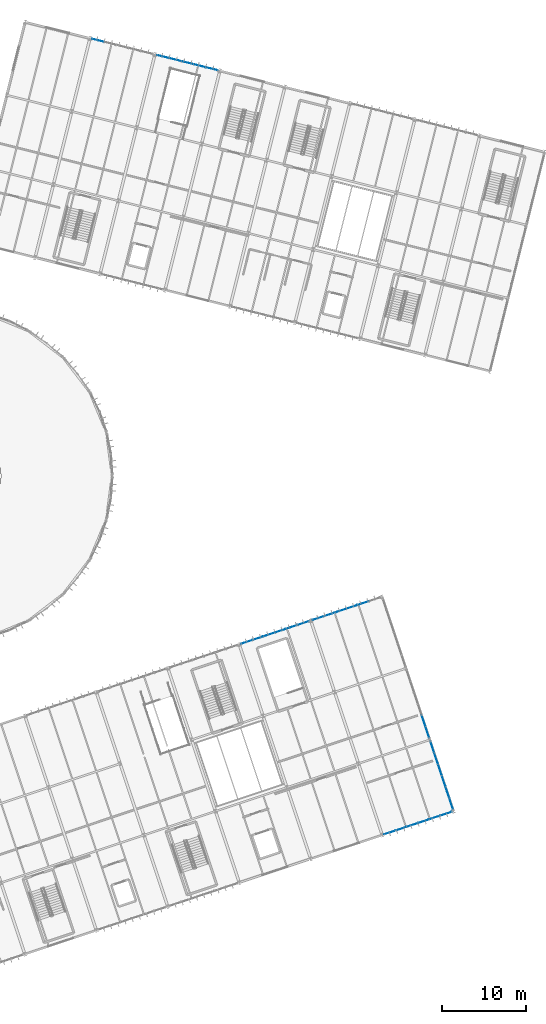
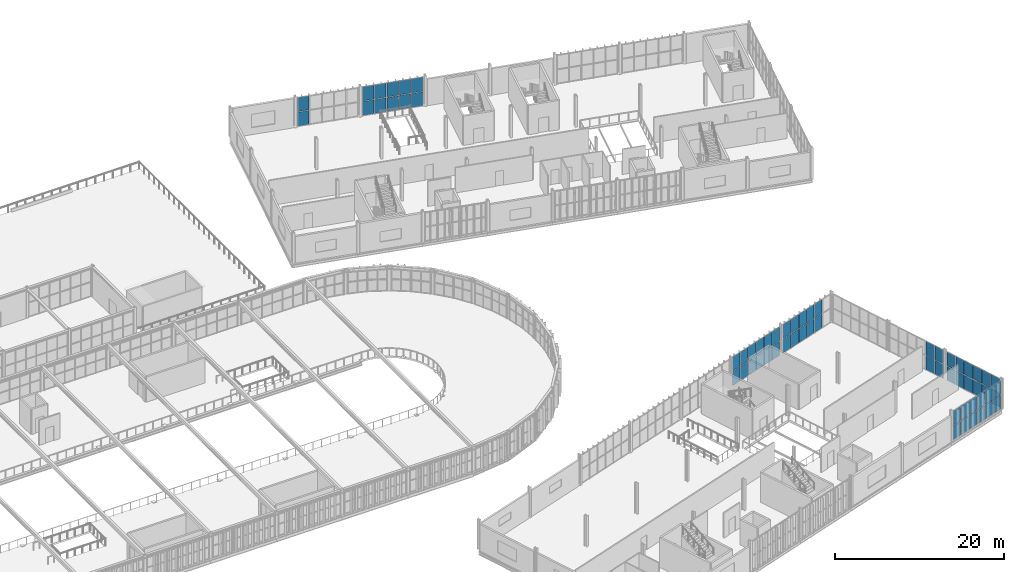
# One storey, part 114 of 152: 62 plates, 7 elements without a shape of their own.
"""IFC4 building model written with IfcOpenShell, lengths in metres."""

import ifcopenshell
import ifcopenshell.guid

model = None  # the IFC model being written
_history = None  # IfcOwnerHistory: only IFC2X3 demands one
_inside = {}  # id of a spatial element -> (the spatial element, [elements in it])
_under = {}  # id of a project, library or spatial element -> (it, [spatial elements below it])
_declared = {}  # id of a project -> (the project, [libraries it declares])
_typed = {}  # id of a type object -> (the type object, [elements of that type])
_made_of = {}  # id of a material, layer set ... -> (it, [elements and type objects made of it])


def new_model(schema):
    """Start an empty IFC model of exactly this schema.

    Asked for "IFC4X3", IfcOpenShell would pick the latest addendum, in which some entities
    have other attributes; the version numbers below select the first issue.
    IFC2X3 requires an IfcOwnerHistory on every rooted entity: one is made here for all.
    """
    global model, _history
    if schema == "IFC4X3":
        model = ifcopenshell.file(schema_version=(4, 3, 0, 0))
    else:
        model = ifcopenshell.file(schema=schema)
    _inside.clear()
    _under.clear()
    _declared.clear()
    _typed.clear()
    _made_of.clear()
    _history = None
    if model.schema == "IFC2X3":
        org = make("IfcOrganization", Name="unknown")
        user = make(
            "IfcPersonAndOrganization",
            ThePerson=make("IfcPerson", FamilyName="unknown"),
            TheOrganization=org,
        )
        app = make(
            "IfcApplication",
            ApplicationDeveloper=org,
            Version="unknown",
            ApplicationFullName="unknown",
            ApplicationIdentifier="unknown",
        )
        _history = make(
            "IfcOwnerHistory",
            OwningUser=user,
            OwningApplication=app,
            ChangeAction="ADDED",
            CreationDate=0,
        )
    return model


def make(cls, **values):
    """One entity of the class cls with the attributes given. An attribute that is None is left unset."""
    return model.create_entity(
        cls, **{name: value for name, value in values.items() if value is not None}
    )


def rooted(cls, **values):
    """An entity with a GlobalId (a new one), such as an element, a storey or a relation."""
    return make(cls, GlobalId=ifcopenshell.guid.new(), OwnerHistory=_history, **values)


def si_unit(unit_type, name, prefix=None):
    """IfcSIUnit, for example si_unit("LENGTHUNIT", "METRE", prefix="MILLI")."""
    return make("IfcSIUnit", UnitType=unit_type, Prefix=prefix, Name=name)


def derived_unit(unit_type, elements):
    """IfcDerivedUnit: a product of units, each with its exponent."""
    return make(
        "IfcDerivedUnit",
        Elements=[
            make("IfcDerivedUnitElement", Unit=unit, Exponent=power)
            for unit, power in elements
        ],
        UnitType=unit_type,
    )


def assignment(units):
    """IfcUnitAssignment: the units of a project."""
    return None if units is None else make("IfcUnitAssignment", Units=units)


def point(xyz):
    """IfcCartesianPoint."""
    return None if xyz is None else make("IfcCartesianPoint", Coordinates=xyz)


def direction(xyz):
    """IfcDirection."""
    return None if xyz is None else make("IfcDirection", DirectionRatios=xyz)


def frame(location, z_axis=None, x_axis=None):
    """IfcAxis2Placement3D, a coordinate frame: its origin and axes. An axis left out is left unset."""
    return make(
        "IfcAxis2Placement3D",
        Location=point(location),
        Axis=direction(z_axis),
        RefDirection=direction(x_axis),
    )


def frame_2d(location, x_axis=None):
    """IfcAxis2Placement2D, a coordinate frame in the plane: its origin and x axis."""
    return make(
        "IfcAxis2Placement2D", Location=point(location), RefDirection=direction(x_axis)
    )


def origin():
    """The frame at (0, 0, 0) with its axes left unset."""
    return frame((0.0, 0.0, 0.0))


def origin_2d():
    """The frame at (0, 0) in the plane with its x axis left unset."""
    return frame_2d((0.0, 0.0))


def place(relative_to, where):
    """IfcLocalPlacement: puts the frame where relative to a parent placement (None: the world)."""
    return make(
        "IfcLocalPlacement", PlacementRelTo=relative_to, RelativePlacement=where
    )


def context(
    kind, dimensions, precision=None, world=None, true_north=None, identifier=None
):
    """IfcGeometricRepresentationContext, for example the 3D "Model" context."""
    return make(
        "IfcGeometricRepresentationContext",
        ContextIdentifier=identifier,
        ContextType=kind,
        CoordinateSpaceDimension=dimensions,
        Precision=precision,
        WorldCoordinateSystem=world,
        TrueNorth=true_north,
    )


def subcontext(parent, identifier, kind, view, scale=None):
    """IfcGeometricRepresentationSubContext, for example "Body" below "Model"."""
    return make(
        "IfcGeometricRepresentationSubContext",
        ContextIdentifier=identifier,
        ContextType=kind,
        ParentContext=parent,
        TargetScale=scale,
        TargetView=view,
    )


def project(units=None, contexts=None):
    """IfcProject with its units and contexts."""
    return rooted(
        "IfcProject",
        Name="project",
        RepresentationContexts=contexts,
        UnitsInContext=assignment(units),
    )


def spatial(cls, under=None, at=None, **own):
    """A site, building, storey or space (cls), placed at a placement, below another one or the project."""
    s = rooted(cls, ObjectPlacement=at, **own)
    if under is not None:
        _under.setdefault(under.id(), (under, []))[1].append(s)
    return s


def profile(cls, at=None, kind="AREA", **sizes):
    """A parametric profile (cls). Its sizes go by their IFC names, for example OverallWidth=200.0."""
    return make(cls, ProfileType=kind, Position=at, **sizes)


def rectangle(**sizes):
    """IfcRectangleProfileDef."""
    return profile("IfcRectangleProfileDef", **sizes)


def extrude(swept, where, along, depth):
    """IfcExtrudedAreaSolid: the profile swept, set in the frame where, extruded along a direction by depth."""
    return make(
        "IfcExtrudedAreaSolid",
        SweptArea=swept,
        Position=where,
        ExtrudedDirection=direction(along),
        Depth=depth,
    )


def shape(context_of_items, identifier, shape_type, items):
    """IfcShapeRepresentation: the items that make up one representation, for example the "Body"."""
    return make(
        "IfcShapeRepresentation",
        ContextOfItems=context_of_items,
        RepresentationIdentifier=identifier,
        RepresentationType=shape_type,
        Items=items,
    )


def material(Name=None, Category=None):
    """IfcMaterial."""
    return make("IfcMaterial", Name=Name, Category=Category)


def layer(
    of_material, thickness, ventilated=None, Name=None, Category=None, Priority=None
):
    """IfcMaterialLayer: one layer of a wall or slab, of a material (None: an air gap)."""
    return make(
        "IfcMaterialLayer",
        Material=of_material,
        LayerThickness=thickness,
        IsVentilated=ventilated,
        Name=Name,
        Category=Category,
        Priority=Priority,
    )


def layer_set(layers, Name=None):
    """IfcMaterialLayerSet."""
    return make("IfcMaterialLayerSet", MaterialLayers=layers, LayerSetName=Name)


def made_of(thing, what):
    """Note that an element or type object is made of a material, layer set ...; save() writes the relation."""
    if what is not None:
        _made_of.setdefault(what.id(), (what, []))[1].append(thing)
    return thing


def type_object(cls, material=None, **own):
    """A type object (cls), such as IfcWallType, which elements share."""
    return made_of(rooted(cls, **own), material)


def element(
    cls,
    number,
    at=None,
    inside=None,
    cuts=None,
    type_object=None,
    material=None,
    context=None,
    identifier="Body",
    shape_type=None,
    held_by="IfcProductDefinitionShape",
    body=None,
    shapes=None,
    **own,
):
    """One element of the class cls, such as IfcWall. Its Tag is "e" and its number.

    at: its placement. inside: the storey or other place that contains it. cuts: it is an
    opening in that element (IfcRelVoidsElement). A single representation is given by context,
    identifier, shape_type and body (its items); several are given by shapes. held_by: the class
    of the entity that holds the representations. save() writes the other relations.
    """
    e = rooted(cls, Tag="e%d" % number, ObjectPlacement=at, **own)
    if body is not None:
        shapes = [shape(context, identifier, shape_type, body)]
    if shapes is not None:
        e.Representation = make(held_by, Representations=shapes)
    if inside is not None:
        _inside.setdefault(inside.id(), (inside, []))[1].append(e)
    if cuts is not None:
        rooted(
            "IfcRelVoidsElement", RelatingBuildingElement=cuts, RelatedOpeningElement=e
        )
    if type_object is not None:
        _typed.setdefault(type_object.id(), (type_object, []))[1].append(e)
    return made_of(e, material)


def aggregate(whole, parts):
    """IfcRelAggregates: a whole, such as a stair, and the parts it consists of."""
    return rooted("IfcRelAggregates", RelatingObject=whole, RelatedObjects=parts)


def save(model, path):
    """Write the relations noted so far, then the file.

    IfcRelAggregates (storeys below a building ...), IfcRelContainedInSpatialStructure (elements
    in a storey), IfcRelDefinesByType, IfcRelAssociatesMaterial and IfcRelDeclares: one each for
    every whole, place, type object, material and project.
    """
    for whole, parts in _under.values():
        aggregate(whole, parts)
    for where, things in _inside.values():
        rooted(
            "IfcRelContainedInSpatialStructure",
            RelatedElements=things,
            RelatingStructure=where,
        )
    for kind, things in _typed.values():
        rooted("IfcRelDefinesByType", RelatedObjects=things, RelatingType=kind)
    for what, things in _made_of.values():
        rooted("IfcRelAssociatesMaterial", RelatedObjects=things, RelatingMaterial=what)
    for by, libraries in _declared.values():
        rooted("IfcRelDeclares", RelatingContext=by, RelatedDefinitions=libraries)
    model.write(path)


model = new_model("IFC4")

# Units and contexts
model_context = context("Model", 3, precision=1e-05, world=origin(), true_north=direction((0.0, 1.0)))
body_context = subcontext(model_context, "Body", "Model", "MODEL_VIEW")
ifc_project = project(units=[si_unit("LENGTHUNIT", "METRE"), si_unit("AREAUNIT", "SQUARE_METRE"), si_unit("VOLUMEUNIT", "CUBIC_METRE"), si_unit("PLANEANGLEUNIT", "RADIAN"), si_unit("MASSUNIT", "GRAM", prefix="KILO"), si_unit("THERMODYNAMICTEMPERATUREUNIT", "KELVIN"), si_unit("TIMEUNIT", "SECOND"), derived_unit("THERMALTRANSMITTANCEUNIT", [(si_unit("MASSUNIT", "GRAM", prefix="KILO"), 1), (si_unit("THERMODYNAMICTEMPERATUREUNIT", "KELVIN"), -1), (si_unit("TIMEUNIT", "SECOND"), -3)])], contexts=[model_context])

# Site, building, storey
site_placement = place(None, origin())
site = spatial("IfcSite", under=ifc_project, at=site_placement, CompositionType="ELEMENT")
building_placement = place(site_placement, origin())
building = spatial("IfcBuilding", under=site, at=building_placement, Name="Cambertide Market Hall", CompositionType="ELEMENT")
storey_placement = place(building_placement, frame((0.0, 0.0, 5.39990234375)))
storey = spatial("IfcBuildingStorey", under=building, at=storey_placement, Name="L02", CompositionType="ELEMENT", Elevation=5.39990234375)

# Curtain wall, plates
ifc_material_1 = material(Name="Marine Anodized Aluminium 6063-T6 AA25", Category="aluminium")
curtain_wall_type_1 = type_object("IfcCurtainWallType", Name="Food Court Upper Glazed Facade", PredefinedType="USERDEFINED", material=ifc_material_1)
curtain_wall_1_placement = place(storey_placement, origin())
curtain_wall_1 = element("IfcCurtainWall", 1, at=curtain_wall_1_placement, inside=storey, type_object=curtain_wall_type_1, Name="Level 2 Curtain Wall CW-V3N-L02-6", ObjectType="UNITIZED CURTAIN WALL", PredefinedType="USERDEFINED")
ifc_material_2 = material(Name="Low-E Laminated Insulated Glass", Category="glass")
ifc_layer = layer(ifc_material_2, 0.028076171875, Name="Vision Insulated Glazing Panel 28")
ifc_layer_set = layer_set([ifc_layer], Name="Low-E Laminated Insulated Glass")
plate_type = type_object("IfcPlateType", Name="Vision Insulated Glazing Panel 28", PredefinedType="CURTAIN_PANEL", material=ifc_layer_set)
plate_1_placement = place(storey_placement, frame((141.053955078125, 52.14501953125, 0.0400390625), z_axis=(0.0, 0.0, 1.0), x_axis=(0.948683274577, 0.316227836438, 0.0)))
plate_1 = element("IfcPlate", 2, at=plate_1_placement, type_object=plate_type, Name="CW-V3N-L02-6 Glazing Panel 1-1", PredefinedType="CURTAIN_PANEL", context=body_context, shape_type="SweptSolid", body=[
    extrude(rectangle(XDim=1.340087890625, YDim=0.028076171875, at=origin_2d()), origin(), (0.0, 0.0, 1.0), 2.02001953125),
])
plate_2_placement = place(storey_placement, frame((142.40087890625, 52.59423828125, 0.0400390625), z_axis=(0.0, 0.0, 1.0), x_axis=(0.948683274577, 0.316227836438, 0.0)))
plate_2 = element("IfcPlate", 3, at=plate_2_placement, type_object=plate_type, Name="CW-V3N-L02-6 Glazing Panel 1-2", PredefinedType="CURTAIN_PANEL", context=body_context, shape_type="SweptSolid", body=[
    extrude(rectangle(XDim=1.340087890625, YDim=0.028076171875, at=origin_2d()), origin(), (0.0, 0.0, 1.0), 2.02001953125),
])
plate_3_placement = place(storey_placement, frame((143.748046875, 53.043212890625, 0.0400390625), z_axis=(0.0, 0.0, 1.0), x_axis=(0.948683274577, 0.316227836438, 0.0)))
plate_3 = element("IfcPlate", 4, at=plate_3_placement, type_object=plate_type, Name="CW-V3N-L02-6 Glazing Panel 1-3", PredefinedType="CURTAIN_PANEL", context=body_context, shape_type="SweptSolid", body=[
    extrude(rectangle(XDim=1.340087890625, YDim=0.028076171875, at=origin_2d()), origin(), (0.0, 0.0, 1.0), 2.02001953125),
])
plate_4_placement = place(storey_placement, frame((145.09521484375, 53.4921875, 0.0400390625), z_axis=(0.0, 0.0, 1.0), x_axis=(0.948683274577, 0.316227836438, 0.0)))
plate_4 = element("IfcPlate", 5, at=plate_4_placement, type_object=plate_type, Name="CW-V3N-L02-6 Glazing Panel 1-4", PredefinedType="CURTAIN_PANEL", context=body_context, shape_type="SweptSolid", body=[
    extrude(rectangle(XDim=1.340087890625, YDim=0.028076171875, at=origin_2d()), origin(), (0.0, 0.0, 1.0), 2.02001953125),
])
plate_5_placement = place(storey_placement, frame((146.4423828125, 53.94140625, 0.0400390625), z_axis=(0.0, 0.0, 1.0), x_axis=(0.948683274577, 0.316227836438, 0.0)))
plate_5 = element("IfcPlate", 6, at=plate_5_placement, type_object=plate_type, Name="CW-V3N-L02-6 Glazing Panel 1-5", PredefinedType="CURTAIN_PANEL", context=body_context, shape_type="SweptSolid", body=[
    extrude(rectangle(XDim=1.340087890625, YDim=0.028076171875, at=origin_2d()), origin(), (0.0, 0.0, 1.0), 2.02001953125),
])
plate_6_placement = place(storey_placement, frame((147.78955078125, 54.390380859375, 0.0400390625), z_axis=(0.0, 0.0, 1.0), x_axis=(0.948683274577, 0.316227836438, 0.0)))
plate_6 = element("IfcPlate", 7, at=plate_6_placement, type_object=plate_type, Name="CW-V3N-L02-6 Glazing Panel 1-6", PredefinedType="CURTAIN_PANEL", context=body_context, shape_type="SweptSolid", body=[
    extrude(rectangle(XDim=1.340087890625, YDim=0.028076171875, at=origin_2d()), origin(), (0.0, 0.0, 1.0), 2.02001953125),
])
plate_7_placement = place(storey_placement, frame((141.053955078125, 52.14501953125, 2.14013671875), z_axis=(0.0, 0.0, 1.0), x_axis=(0.948683274577, 0.316227836438, 0.0)))
plate_7 = element("IfcPlate", 8, at=plate_7_placement, type_object=plate_type, Name="CW-V3N-L02-6 Glazing Panel 2-1", PredefinedType="CURTAIN_PANEL", context=body_context, shape_type="SweptSolid", body=[
    extrude(rectangle(XDim=1.340087890625, YDim=0.028076171875, at=origin_2d()), origin(), (0.0, 0.0, 1.0), 2.02001953125),
])
plate_8_placement = place(storey_placement, frame((142.40087890625, 52.59423828125, 2.14013671875), z_axis=(0.0, 0.0, 1.0), x_axis=(0.948683274577, 0.316227836438, 0.0)))
plate_8 = element("IfcPlate", 9, at=plate_8_placement, type_object=plate_type, Name="CW-V3N-L02-6 Glazing Panel 2-2", PredefinedType="CURTAIN_PANEL", context=body_context, shape_type="SweptSolid", body=[
    extrude(rectangle(XDim=1.340087890625, YDim=0.028076171875, at=origin_2d()), origin(), (0.0, 0.0, 1.0), 2.02001953125),
])
plate_9_placement = place(storey_placement, frame((143.748046875, 53.043212890625, 2.14013671875), z_axis=(0.0, 0.0, 1.0), x_axis=(0.948683274577, 0.316227836438, 0.0)))
plate_9 = element("IfcPlate", 10, at=plate_9_placement, type_object=plate_type, Name="CW-V3N-L02-6 Glazing Panel 2-3", PredefinedType="CURTAIN_PANEL", context=body_context, shape_type="SweptSolid", body=[
    extrude(rectangle(XDim=1.340087890625, YDim=0.028076171875, at=origin_2d()), origin(), (0.0, 0.0, 1.0), 2.02001953125),
])
plate_10_placement = place(storey_placement, frame((145.09521484375, 53.4921875, 2.14013671875), z_axis=(0.0, 0.0, 1.0), x_axis=(0.948683274577, 0.316227836438, 0.0)))
plate_10 = element("IfcPlate", 11, at=plate_10_placement, type_object=plate_type, Name="CW-V3N-L02-6 Glazing Panel 2-4", PredefinedType="CURTAIN_PANEL", context=body_context, shape_type="SweptSolid", body=[
    extrude(rectangle(XDim=1.340087890625, YDim=0.028076171875, at=origin_2d()), origin(), (0.0, 0.0, 1.0), 2.02001953125),
])
plate_11_placement = place(storey_placement, frame((146.4423828125, 53.94140625, 2.14013671875), z_axis=(0.0, 0.0, 1.0), x_axis=(0.948683274577, 0.316227836438, 0.0)))
plate_11 = element("IfcPlate", 12, at=plate_11_placement, type_object=plate_type, Name="CW-V3N-L02-6 Glazing Panel 2-5", PredefinedType="CURTAIN_PANEL", context=body_context, shape_type="SweptSolid", body=[
    extrude(rectangle(XDim=1.340087890625, YDim=0.028076171875, at=origin_2d()), origin(), (0.0, 0.0, 1.0), 2.02001953125),
])
plate_12_placement = place(storey_placement, frame((147.78955078125, 54.390380859375, 2.14013671875), z_axis=(0.0, 0.0, 1.0), x_axis=(0.948683274577, 0.316227836438, 0.0)))
plate_12 = element("IfcPlate", 13, at=plate_12_placement, type_object=plate_type, Name="CW-V3N-L02-6 Glazing Panel 2-6", PredefinedType="CURTAIN_PANEL", context=body_context, shape_type="SweptSolid", body=[
    extrude(rectangle(XDim=1.340087890625, YDim=0.028076171875, at=origin_2d()), origin(), (0.0, 0.0, 1.0), 2.02001953125),
])
aggregate(curtain_wall_1, [plate_1, plate_2, plate_3, plate_4, plate_5, plate_6, plate_7, plate_8, plate_9, plate_10, plate_11, plate_12])

curtain_wall_2_placement = place(storey_placement, origin())
curtain_wall_2 = element("IfcCurtainWall", 14, at=curtain_wall_2_placement, inside=storey, type_object=curtain_wall_type_1, Name="Level 2 Curtain Wall CW-V3N-L02-7", ObjectType="UNITIZED CURTAIN WALL", PredefinedType="USERDEFINED")
plate_13_placement = place(storey_placement, frame((149.592041015625, 54.9912109375, 0.0400390625), z_axis=(0.0, 0.0, 1.0), x_axis=(0.948683286311, 0.316227801236, 0.0)))
plate_13 = element("IfcPlate", 15, at=plate_13_placement, type_object=plate_type, Name="CW-V3N-L02-7 Glazing Panel 1-1", PredefinedType="CURTAIN_PANEL", context=body_context, shape_type="SweptSolid", body=[
    extrude(rectangle(XDim=1.340087890625, YDim=0.028076171875, at=origin_2d()), origin(), (0.0, 0.0, 1.0), 2.02001953125),
])
plate_14_placement = place(storey_placement, frame((150.939208984375, 55.440185546875, 0.0400390625), z_axis=(0.0, 0.0, 1.0), x_axis=(0.948683286311, 0.316227801236, 0.0)))
plate_14 = element("IfcPlate", 16, at=plate_14_placement, type_object=plate_type, Name="CW-V3N-L02-7 Glazing Panel 1-2", PredefinedType="CURTAIN_PANEL", context=body_context, shape_type="SweptSolid", body=[
    extrude(rectangle(XDim=1.340087890625, YDim=0.028076171875, at=origin_2d()), origin(), (0.0, 0.0, 1.0), 2.02001953125),
])
plate_15_placement = place(storey_placement, frame((152.286376953125, 55.88916015625, 0.0400390625), z_axis=(0.0, 0.0, 1.0), x_axis=(0.948683286311, 0.316227801236, 0.0)))
plate_15 = element("IfcPlate", 17, at=plate_15_placement, type_object=plate_type, Name="CW-V3N-L02-7 Glazing Panel 1-3", PredefinedType="CURTAIN_PANEL", context=body_context, shape_type="SweptSolid", body=[
    extrude(rectangle(XDim=1.340087890625, YDim=0.028076171875, at=origin_2d()), origin(), (0.0, 0.0, 1.0), 2.02001953125),
])
plate_16_placement = place(storey_placement, frame((153.63330078125, 56.33837890625, 0.0400390625), z_axis=(0.0, 0.0, 1.0), x_axis=(0.948683286311, 0.316227801236, 0.0)))
plate_16 = element("IfcPlate", 18, at=plate_16_placement, type_object=plate_type, Name="CW-V3N-L02-7 Glazing Panel 1-4", PredefinedType="CURTAIN_PANEL", context=body_context, shape_type="SweptSolid", body=[
    extrude(rectangle(XDim=1.340087890625, YDim=0.028076171875, at=origin_2d()), origin(), (0.0, 0.0, 1.0), 2.02001953125),
])
plate_17_placement = place(storey_placement, frame((154.98046875, 56.787353515625, 0.0400390625), z_axis=(0.0, 0.0, 1.0), x_axis=(0.948683286311, 0.316227801236, 0.0)))
plate_17 = element("IfcPlate", 19, at=plate_17_placement, type_object=plate_type, Name="CW-V3N-L02-7 Glazing Panel 1-5", PredefinedType="CURTAIN_PANEL", context=body_context, shape_type="SweptSolid", body=[
    extrude(rectangle(XDim=1.340087890625, YDim=0.028076171875, at=origin_2d()), origin(), (0.0, 0.0, 1.0), 2.02001953125),
])
plate_18_placement = place(storey_placement, frame((149.592041015625, 54.9912109375, 2.14013671875), z_axis=(0.0, 0.0, 1.0), x_axis=(0.948683286311, 0.316227801236, 0.0)))
plate_18 = element("IfcPlate", 20, at=plate_18_placement, type_object=plate_type, Name="CW-V3N-L02-7 Glazing Panel 2-1", PredefinedType="CURTAIN_PANEL", context=body_context, shape_type="SweptSolid", body=[
    extrude(rectangle(XDim=1.340087890625, YDim=0.028076171875, at=origin_2d()), origin(), (0.0, 0.0, 1.0), 2.02001953125),
])
plate_19_placement = place(storey_placement, frame((150.939208984375, 55.440185546875, 2.14013671875), z_axis=(0.0, 0.0, 1.0), x_axis=(0.948683286311, 0.316227801236, 0.0)))
plate_19 = element("IfcPlate", 21, at=plate_19_placement, type_object=plate_type, Name="CW-V3N-L02-7 Glazing Panel 2-2", PredefinedType="CURTAIN_PANEL", context=body_context, shape_type="SweptSolid", body=[
    extrude(rectangle(XDim=1.340087890625, YDim=0.028076171875, at=origin_2d()), origin(), (0.0, 0.0, 1.0), 2.02001953125),
])
plate_20_placement = place(storey_placement, frame((152.286376953125, 55.88916015625, 2.14013671875), z_axis=(0.0, 0.0, 1.0), x_axis=(0.948683286311, 0.316227801236, 0.0)))
plate_20 = element("IfcPlate", 22, at=plate_20_placement, type_object=plate_type, Name="CW-V3N-L02-7 Glazing Panel 2-3", PredefinedType="CURTAIN_PANEL", context=body_context, shape_type="SweptSolid", body=[
    extrude(rectangle(XDim=1.340087890625, YDim=0.028076171875, at=origin_2d()), origin(), (0.0, 0.0, 1.0), 2.02001953125),
])
plate_21_placement = place(storey_placement, frame((153.63330078125, 56.33837890625, 2.14013671875), z_axis=(0.0, 0.0, 1.0), x_axis=(0.948683286311, 0.316227801236, 0.0)))
plate_21 = element("IfcPlate", 23, at=plate_21_placement, type_object=plate_type, Name="CW-V3N-L02-7 Glazing Panel 2-4", PredefinedType="CURTAIN_PANEL", context=body_context, shape_type="SweptSolid", body=[
    extrude(rectangle(XDim=1.340087890625, YDim=0.028076171875, at=origin_2d()), origin(), (0.0, 0.0, 1.0), 2.02001953125),
])
plate_22_placement = place(storey_placement, frame((154.98046875, 56.787353515625, 2.14013671875), z_axis=(0.0, 0.0, 1.0), x_axis=(0.948683286311, 0.316227801236, 0.0)))
plate_22 = element("IfcPlate", 24, at=plate_22_placement, type_object=plate_type, Name="CW-V3N-L02-7 Glazing Panel 2-5", PredefinedType="CURTAIN_PANEL", context=body_context, shape_type="SweptSolid", body=[
    extrude(rectangle(XDim=1.340087890625, YDim=0.028076171875, at=origin_2d()), origin(), (0.0, 0.0, 1.0), 2.02001953125),
])
aggregate(curtain_wall_2, [plate_13, plate_14, plate_15, plate_16, plate_17, plate_18, plate_19, plate_20, plate_21, plate_22])

curtain_wall_3_placement = place(storey_placement, origin())
curtain_wall_3 = element("IfcCurtainWall", 25, at=curtain_wall_3_placement, inside=storey, type_object=curtain_wall_type_1, Name="Level 2 Curtain Wall CW-V3S-L02-7", ObjectType="UNITIZED CURTAIN WALL", PredefinedType="USERDEFINED")
plate_23_placement = place(storey_placement, frame((164.86572265625, 31.621826171875, 0.0400390625), z_axis=(0.0, 0.0, 1.0), x_axis=(-0.948683286311, -0.316227801236, 0.0)))
plate_23 = element("IfcPlate", 26, at=plate_23_placement, type_object=plate_type, Name="CW-V3S-L02-7 Glazing Panel 1-1", PredefinedType="CURTAIN_PANEL", context=body_context, shape_type="SweptSolid", body=[
    extrude(rectangle(XDim=1.340087890625, YDim=0.028076171875, at=origin_2d()), origin(), (0.0, 0.0, 1.0), 2.02001953125),
])
plate_24_placement = place(storey_placement, frame((163.5185546875, 31.1728515625, 0.0400390625), z_axis=(0.0, 0.0, 1.0), x_axis=(-0.948683286311, -0.316227801236, 0.0)))
plate_24 = element("IfcPlate", 27, at=plate_24_placement, type_object=plate_type, Name="CW-V3S-L02-7 Glazing Panel 1-2", PredefinedType="CURTAIN_PANEL", context=body_context, shape_type="SweptSolid", body=[
    extrude(rectangle(XDim=1.340087890625, YDim=0.028076171875, at=origin_2d()), origin(), (0.0, 0.0, 1.0), 2.02001953125),
])
plate_25_placement = place(storey_placement, frame((162.171630859375, 30.723876953125, 0.0400390625), z_axis=(0.0, 0.0, 1.0), x_axis=(-0.948683286311, -0.316227801236, 0.0)))
plate_25 = element("IfcPlate", 28, at=plate_25_placement, type_object=plate_type, Name="CW-V3S-L02-7 Glazing Panel 1-3", PredefinedType="CURTAIN_PANEL", context=body_context, shape_type="SweptSolid", body=[
    extrude(rectangle(XDim=1.340087890625, YDim=0.028076171875, at=origin_2d()), origin(), (0.0, 0.0, 1.0), 2.02001953125),
])
plate_26_placement = place(storey_placement, frame((160.824462890625, 30.27490234375, 0.0400390625), z_axis=(0.0, 0.0, 1.0), x_axis=(-0.948683286311, -0.316227801236, 0.0)))
plate_26 = element("IfcPlate", 29, at=plate_26_placement, type_object=plate_type, Name="CW-V3S-L02-7 Glazing Panel 1-4", PredefinedType="CURTAIN_PANEL", context=body_context, shape_type="SweptSolid", body=[
    extrude(rectangle(XDim=1.340087890625, YDim=0.028076171875, at=origin_2d()), origin(), (0.0, 0.0, 1.0), 2.02001953125),
])
plate_27_placement = place(storey_placement, frame((159.477294921875, 29.82568359375, 0.0400390625), z_axis=(0.0, 0.0, 1.0), x_axis=(-0.948683286311, -0.316227801236, 0.0)))
plate_27 = element("IfcPlate", 30, at=plate_27_placement, type_object=plate_type, Name="CW-V3S-L02-7 Glazing Panel 1-5", PredefinedType="CURTAIN_PANEL", context=body_context, shape_type="SweptSolid", body=[
    extrude(rectangle(XDim=1.340087890625, YDim=0.028076171875, at=origin_2d()), origin(), (0.0, 0.0, 1.0), 2.02001953125),
])
plate_28_placement = place(storey_placement, frame((158.130126953125, 29.376708984375, 0.0400390625), z_axis=(0.0, 0.0, 1.0), x_axis=(-0.948683286311, -0.316227801236, 0.0)))
plate_28 = element("IfcPlate", 31, at=plate_28_placement, type_object=plate_type, Name="CW-V3S-L02-7 Glazing Panel 1-6", PredefinedType="CURTAIN_PANEL", context=body_context, shape_type="SweptSolid", body=[
    extrude(rectangle(XDim=1.340087890625, YDim=0.028076171875, at=origin_2d()), origin(), (0.0, 0.0, 1.0), 2.02001953125),
])
plate_29_placement = place(storey_placement, frame((164.86572265625, 31.621826171875, 2.14013671875), z_axis=(0.0, 0.0, 1.0), x_axis=(-0.948683286311, -0.316227801236, 0.0)))
plate_29 = element("IfcPlate", 32, at=plate_29_placement, type_object=plate_type, Name="CW-V3S-L02-7 Glazing Panel 2-1", PredefinedType="CURTAIN_PANEL", context=body_context, shape_type="SweptSolid", body=[
    extrude(rectangle(XDim=1.340087890625, YDim=0.028076171875, at=origin_2d()), origin(), (0.0, 0.0, 1.0), 2.02001953125),
])
plate_30_placement = place(storey_placement, frame((163.5185546875, 31.1728515625, 2.14013671875), z_axis=(0.0, 0.0, 1.0), x_axis=(-0.948683286311, -0.316227801236, 0.0)))
plate_30 = element("IfcPlate", 33, at=plate_30_placement, type_object=plate_type, Name="CW-V3S-L02-7 Glazing Panel 2-2", PredefinedType="CURTAIN_PANEL", context=body_context, shape_type="SweptSolid", body=[
    extrude(rectangle(XDim=1.340087890625, YDim=0.028076171875, at=origin_2d()), origin(), (0.0, 0.0, 1.0), 2.02001953125),
])
plate_31_placement = place(storey_placement, frame((162.171630859375, 30.723876953125, 2.14013671875), z_axis=(0.0, 0.0, 1.0), x_axis=(-0.948683286311, -0.316227801236, 0.0)))
plate_31 = element("IfcPlate", 34, at=plate_31_placement, type_object=plate_type, Name="CW-V3S-L02-7 Glazing Panel 2-3", PredefinedType="CURTAIN_PANEL", context=body_context, shape_type="SweptSolid", body=[
    extrude(rectangle(XDim=1.340087890625, YDim=0.028076171875, at=origin_2d()), origin(), (0.0, 0.0, 1.0), 2.02001953125),
])
plate_32_placement = place(storey_placement, frame((160.824462890625, 30.27490234375, 2.14013671875), z_axis=(0.0, 0.0, 1.0), x_axis=(-0.948683286311, -0.316227801236, 0.0)))
plate_32 = element("IfcPlate", 35, at=plate_32_placement, type_object=plate_type, Name="CW-V3S-L02-7 Glazing Panel 2-4", PredefinedType="CURTAIN_PANEL", context=body_context, shape_type="SweptSolid", body=[
    extrude(rectangle(XDim=1.340087890625, YDim=0.028076171875, at=origin_2d()), origin(), (0.0, 0.0, 1.0), 2.02001953125),
])
plate_33_placement = place(storey_placement, frame((159.477294921875, 29.82568359375, 2.14013671875), z_axis=(0.0, 0.0, 1.0), x_axis=(-0.948683286311, -0.316227801236, 0.0)))
plate_33 = element("IfcPlate", 36, at=plate_33_placement, type_object=plate_type, Name="CW-V3S-L02-7 Glazing Panel 2-5", PredefinedType="CURTAIN_PANEL", context=body_context, shape_type="SweptSolid", body=[
    extrude(rectangle(XDim=1.340087890625, YDim=0.028076171875, at=origin_2d()), origin(), (0.0, 0.0, 1.0), 2.02001953125),
])
plate_34_placement = place(storey_placement, frame((158.130126953125, 29.376708984375, 2.14013671875), z_axis=(0.0, 0.0, 1.0), x_axis=(-0.948683286311, -0.316227801236, 0.0)))
plate_34 = element("IfcPlate", 37, at=plate_34_placement, type_object=plate_type, Name="CW-V3S-L02-7 Glazing Panel 2-6", PredefinedType="CURTAIN_PANEL", context=body_context, shape_type="SweptSolid", body=[
    extrude(rectangle(XDim=1.340087890625, YDim=0.028076171875, at=origin_2d()), origin(), (0.0, 0.0, 1.0), 2.02001953125),
])
aggregate(curtain_wall_3, [plate_23, plate_24, plate_25, plate_26, plate_27, plate_28, plate_29, plate_30, plate_31, plate_32, plate_33, plate_34])

curtain_wall_4_placement = place(storey_placement, origin())
curtain_wall_4 = element("IfcCurtainWall", 38, at=curtain_wall_4_placement, inside=storey, type_object=curtain_wall_type_1, Name="Level 2 Curtain Wall CW-V3E-L02-1", ObjectType="UNITIZED CURTAIN WALL", PredefinedType="USERDEFINED")
plate_35_placement = place(storey_placement, frame((163.221435546875, 39.559326171875, 0.0400390625), z_axis=(0.0, 0.0, 1.0), x_axis=(0.316227695598, -0.948683321523, 0.0)))
plate_35 = element("IfcPlate", 39, at=plate_35_placement, type_object=plate_type, Name="CW-V3E-L02-1 Glazing Panel 1-1", PredefinedType="CURTAIN_PANEL", context=body_context, shape_type="SweptSolid", body=[
    extrude(rectangle(XDim=1.340087890625, YDim=0.028076171875, at=origin_2d()), origin(), (0.0, 0.0, 1.0), 2.02001953125),
])
plate_36_placement = place(storey_placement, frame((163.67041015625, 38.212158203125, 0.0400390625), z_axis=(0.0, 0.0, 1.0), x_axis=(0.316227695598, -0.948683321523, 0.0)))
plate_36 = element("IfcPlate", 40, at=plate_36_placement, type_object=plate_type, Name="CW-V3E-L02-1 Glazing Panel 1-2", PredefinedType="CURTAIN_PANEL", context=body_context, shape_type="SweptSolid", body=[
    extrude(rectangle(XDim=1.340087890625, YDim=0.028076171875, at=origin_2d()), origin(), (0.0, 0.0, 1.0), 2.02001953125),
])
plate_37_placement = place(storey_placement, frame((164.119384765625, 36.864990234375, 0.0400390625), z_axis=(0.0, 0.0, 1.0), x_axis=(0.316227695598, -0.948683321523, 0.0)))
plate_37 = element("IfcPlate", 41, at=plate_37_placement, type_object=plate_type, Name="CW-V3E-L02-1 Glazing Panel 1-3", PredefinedType="CURTAIN_PANEL", context=body_context, shape_type="SweptSolid", body=[
    extrude(rectangle(XDim=1.340087890625, YDim=0.028076171875, at=origin_2d()), origin(), (0.0, 0.0, 1.0), 2.02001953125),
])
plate_38_placement = place(storey_placement, frame((164.568603515625, 35.517822265625, 0.0400390625), z_axis=(0.0, 0.0, 1.0), x_axis=(0.316227695598, -0.948683321523, 0.0)))
plate_38 = element("IfcPlate", 42, at=plate_38_placement, type_object=plate_type, Name="CW-V3E-L02-1 Glazing Panel 1-4", PredefinedType="CURTAIN_PANEL", context=body_context, shape_type="SweptSolid", body=[
    extrude(rectangle(XDim=1.340087890625, YDim=0.028076171875, at=origin_2d()), origin(), (0.0, 0.0, 1.0), 2.02001953125),
])
plate_39_placement = place(storey_placement, frame((165.017578125, 34.170654296875, 0.0400390625), z_axis=(0.0, 0.0, 1.0), x_axis=(0.316227695598, -0.948683321523, 0.0)))
plate_39 = element("IfcPlate", 43, at=plate_39_placement, type_object=plate_type, Name="CW-V3E-L02-1 Glazing Panel 1-5", PredefinedType="CURTAIN_PANEL", context=body_context, shape_type="SweptSolid", body=[
    extrude(rectangle(XDim=1.340087890625, YDim=0.028076171875, at=origin_2d()), origin(), (0.0, 0.0, 1.0), 2.02001953125),
])
plate_40_placement = place(storey_placement, frame((165.466552734375, 32.823486328125, 0.0400390625), z_axis=(0.0, 0.0, 1.0), x_axis=(0.316227695598, -0.948683321523, 0.0)))
plate_40 = element("IfcPlate", 44, at=plate_40_placement, type_object=plate_type, Name="CW-V3E-L02-1 Glazing Panel 1-6", PredefinedType="CURTAIN_PANEL", context=body_context, shape_type="SweptSolid", body=[
    extrude(rectangle(XDim=1.340087890625, YDim=0.028076171875, at=origin_2d()), origin(), (0.0, 0.0, 1.0), 2.02001953125),
])
plate_41_placement = place(storey_placement, frame((163.221435546875, 39.559326171875, 2.14013671875), z_axis=(0.0, 0.0, 1.0), x_axis=(0.316227695598, -0.948683321523, 0.0)))
plate_41 = element("IfcPlate", 45, at=plate_41_placement, type_object=plate_type, Name="CW-V3E-L02-1 Glazing Panel 2-1", PredefinedType="CURTAIN_PANEL", context=body_context, shape_type="SweptSolid", body=[
    extrude(rectangle(XDim=1.340087890625, YDim=0.028076171875, at=origin_2d()), origin(), (0.0, 0.0, 1.0), 2.02001953125),
])
plate_42_placement = place(storey_placement, frame((163.67041015625, 38.212158203125, 2.14013671875), z_axis=(0.0, 0.0, 1.0), x_axis=(0.316227695598, -0.948683321523, 0.0)))
plate_42 = element("IfcPlate", 46, at=plate_42_placement, type_object=plate_type, Name="CW-V3E-L02-1 Glazing Panel 2-2", PredefinedType="CURTAIN_PANEL", context=body_context, shape_type="SweptSolid", body=[
    extrude(rectangle(XDim=1.340087890625, YDim=0.028076171875, at=origin_2d()), origin(), (0.0, 0.0, 1.0), 2.02001953125),
])
plate_43_placement = place(storey_placement, frame((164.119384765625, 36.864990234375, 2.14013671875), z_axis=(0.0, 0.0, 1.0), x_axis=(0.316227695598, -0.948683321523, 0.0)))
plate_43 = element("IfcPlate", 47, at=plate_43_placement, type_object=plate_type, Name="CW-V3E-L02-1 Glazing Panel 2-3", PredefinedType="CURTAIN_PANEL", context=body_context, shape_type="SweptSolid", body=[
    extrude(rectangle(XDim=1.340087890625, YDim=0.028076171875, at=origin_2d()), origin(), (0.0, 0.0, 1.0), 2.02001953125),
])
plate_44_placement = place(storey_placement, frame((164.568603515625, 35.517822265625, 2.14013671875), z_axis=(0.0, 0.0, 1.0), x_axis=(0.316227695598, -0.948683321523, 0.0)))
plate_44 = element("IfcPlate", 48, at=plate_44_placement, type_object=plate_type, Name="CW-V3E-L02-1 Glazing Panel 2-4", PredefinedType="CURTAIN_PANEL", context=body_context, shape_type="SweptSolid", body=[
    extrude(rectangle(XDim=1.340087890625, YDim=0.028076171875, at=origin_2d()), origin(), (0.0, 0.0, 1.0), 2.02001953125),
])
plate_45_placement = place(storey_placement, frame((165.017578125, 34.170654296875, 2.14013671875), z_axis=(0.0, 0.0, 1.0), x_axis=(0.316227695598, -0.948683321523, 0.0)))
plate_45 = element("IfcPlate", 49, at=plate_45_placement, type_object=plate_type, Name="CW-V3E-L02-1 Glazing Panel 2-5", PredefinedType="CURTAIN_PANEL", context=body_context, shape_type="SweptSolid", body=[
    extrude(rectangle(XDim=1.340087890625, YDim=0.028076171875, at=origin_2d()), origin(), (0.0, 0.0, 1.0), 2.02001953125),
])
plate_46_placement = place(storey_placement, frame((165.466552734375, 32.823486328125, 2.14013671875), z_axis=(0.0, 0.0, 1.0), x_axis=(0.316227695598, -0.948683321523, 0.0)))
plate_46 = element("IfcPlate", 50, at=plate_46_placement, type_object=plate_type, Name="CW-V3E-L02-1 Glazing Panel 2-6", PredefinedType="CURTAIN_PANEL", context=body_context, shape_type="SweptSolid", body=[
    extrude(rectangle(XDim=1.340087890625, YDim=0.028076171875, at=origin_2d()), origin(), (0.0, 0.0, 1.0), 2.02001953125),
])
aggregate(curtain_wall_4, [plate_35, plate_36, plate_37, plate_38, plate_39, plate_40, plate_41, plate_42, plate_43, plate_44, plate_45, plate_46])

curtain_wall_5_placement = place(storey_placement, origin())
curtain_wall_5 = element("IfcCurtainWall", 51, at=curtain_wall_5_placement, inside=storey, type_object=curtain_wall_type_1, Name="Level 2 Curtain Wall CW-V3E-L02-2", ObjectType="UNITIZED CURTAIN WALL", PredefinedType="USERDEFINED")
plate_47_placement = place(storey_placement, frame((162.171630859375, 42.708984375, 0.0400390625), z_axis=(0.0, 0.0, 1.0), x_axis=(0.316227695598, -0.948683321523, 0.0)))
plate_47 = element("IfcPlate", 52, at=plate_47_placement, type_object=plate_type, Name="CW-V3E-L02-2 Glazing Panel 1-5", PredefinedType="CURTAIN_PANEL", context=body_context, shape_type="SweptSolid", body=[
    extrude(rectangle(XDim=1.340087890625, YDim=0.028076171875, at=origin_2d()), origin(), (0.0, 0.0, 1.0), 2.02001953125),
])
plate_48_placement = place(storey_placement, frame((162.62060546875, 41.36181640625, 0.0400390625), z_axis=(0.0, 0.0, 1.0), x_axis=(0.316227695598, -0.948683321523, 0.0)))
plate_48 = element("IfcPlate", 53, at=plate_48_placement, type_object=plate_type, Name="CW-V3E-L02-2 Glazing Panel 1-6", PredefinedType="CURTAIN_PANEL", context=body_context, shape_type="SweptSolid", body=[
    extrude(rectangle(XDim=1.340087890625, YDim=0.028076171875, at=origin_2d()), origin(), (0.0, 0.0, 1.0), 2.02001953125),
])
plate_49_placement = place(storey_placement, frame((162.171630859375, 42.708984375, 2.14013671875), z_axis=(0.0, 0.0, 1.0), x_axis=(0.316227695598, -0.948683321523, 0.0)))
plate_49 = element("IfcPlate", 54, at=plate_49_placement, type_object=plate_type, Name="CW-V3E-L02-2 Glazing Panel 2-5", PredefinedType="CURTAIN_PANEL", context=body_context, shape_type="SweptSolid", body=[
    extrude(rectangle(XDim=1.340087890625, YDim=0.028076171875, at=origin_2d()), origin(), (0.0, 0.0, 1.0), 2.02001953125),
])
plate_50_placement = place(storey_placement, frame((162.62060546875, 41.36181640625, 2.14013671875), z_axis=(0.0, 0.0, 1.0), x_axis=(0.316227695598, -0.948683321523, 0.0)))
plate_50 = element("IfcPlate", 55, at=plate_50_placement, type_object=plate_type, Name="CW-V3E-L02-2 Glazing Panel 2-6", PredefinedType="CURTAIN_PANEL", context=body_context, shape_type="SweptSolid", body=[
    extrude(rectangle(XDim=1.340087890625, YDim=0.028076171875, at=origin_2d()), origin(), (0.0, 0.0, 1.0), 2.02001953125),
])
aggregate(curtain_wall_5, [plate_47, plate_48, plate_49, plate_50])

ifc_material_3 = material(Name="Marine Anodized Aluminium 6063-T6 AA25", Category="aluminium")
curtain_wall_type_2 = type_object("IfcCurtainWallType", Name="Culinary Teaching Kitchen Curtain Wall", PredefinedType="USERDEFINED", material=ifc_material_3)
curtain_wall_6_placement = place(storey_placement, origin())
curtain_wall_6 = element("IfcCurtainWall", 56, at=curtain_wall_6_placement, inside=storey, type_object=curtain_wall_type_2, Name="Level 2 Curtain Wall CW-V4N-L02-2", ObjectType="UNITIZED CURTAIN WALL", PredefinedType="USERDEFINED")
plate_51_placement = place(storey_placement, frame((123.27197265625, 124.012939453125, 0.0400390625), z_axis=(0.0, 0.0, 1.0), x_axis=(0.970142500145, -0.242535625038, 0.0)))
plate_51 = element("IfcPlate", 57, at=plate_51_placement, type_object=plate_type, Name="CW-V4N-L02-2 Glazing Panel 1-1", PredefinedType="CURTAIN_PANEL", context=body_context, shape_type="SweptSolid", body=[
    extrude(rectangle(XDim=1.424072265625, YDim=0.028076171875, at=origin_2d()), origin(), (0.0, 0.0, 1.0), 2.030029296875),
])
plate_52_placement = place(storey_placement, frame((123.27197265625, 124.012939453125, 2.14990234375), z_axis=(0.0, 0.0, 1.0), x_axis=(0.970142500145, -0.242535625038, 0.0)))
plate_52 = element("IfcPlate", 58, at=plate_52_placement, type_object=plate_type, Name="CW-V4N-L02-2 Glazing Panel 2-1", PredefinedType="CURTAIN_PANEL", context=body_context, shape_type="SweptSolid", body=[
    extrude(rectangle(XDim=1.424072265625, YDim=0.028076171875, at=origin_2d()), origin(), (0.0, 0.0, 1.0), 2.030029296875),
])
aggregate(curtain_wall_6, [plate_51, plate_52])

curtain_wall_7_placement = place(storey_placement, origin())
curtain_wall_7 = element("IfcCurtainWall", 59, at=curtain_wall_7_placement, inside=storey, type_object=curtain_wall_type_2, Name="Level 2 Curtain Wall CW-V4N-L02-3", ObjectType="UNITIZED CURTAIN WALL", PredefinedType="USERDEFINED")
plate_53_placement = place(storey_placement, frame((131.033203125, 122.07275390625, 0.0400390625), z_axis=(0.0, 0.0, 1.0), x_axis=(0.970142500145, -0.242535625038, 0.0)))
plate_53 = element("IfcPlate", 60, at=plate_53_placement, type_object=plate_type, Name="CW-V4N-L02-3 Glazing Panel 1-1", PredefinedType="CURTAIN_PANEL", context=body_context, shape_type="SweptSolid", body=[
    extrude(rectangle(XDim=1.424072265625, YDim=0.028076171875, at=origin_2d()), origin(), (0.0, 0.0, 1.0), 2.030029296875),
])
plate_54_placement = place(storey_placement, frame((132.4921875, 121.7080078125, 0.0400390625), z_axis=(0.0, 0.0, 1.0), x_axis=(0.970142500145, -0.242535625038, 0.0)))
plate_54 = element("IfcPlate", 61, at=plate_54_placement, type_object=plate_type, Name="CW-V4N-L02-3 Glazing Panel 1-2", PredefinedType="CURTAIN_PANEL", context=body_context, shape_type="SweptSolid", body=[
    extrude(rectangle(XDim=1.424072265625, YDim=0.028076171875, at=origin_2d()), origin(), (0.0, 0.0, 1.0), 2.030029296875),
])
plate_55_placement = place(storey_placement, frame((133.951416015625, 121.343017578125, 0.0400390625), z_axis=(0.0, 0.0, 1.0), x_axis=(0.970142500145, -0.242535625038, 0.0)))
plate_55 = element("IfcPlate", 62, at=plate_55_placement, type_object=plate_type, Name="CW-V4N-L02-3 Glazing Panel 1-3", PredefinedType="CURTAIN_PANEL", context=body_context, shape_type="SweptSolid", body=[
    extrude(rectangle(XDim=1.424072265625, YDim=0.028076171875, at=origin_2d()), origin(), (0.0, 0.0, 1.0), 2.030029296875),
])
plate_56_placement = place(storey_placement, frame((135.410400390625, 120.978271484375, 0.0400390625), z_axis=(0.0, 0.0, 1.0), x_axis=(0.970142500145, -0.242535625038, 0.0)))
plate_56 = element("IfcPlate", 63, at=plate_56_placement, type_object=plate_type, Name="CW-V4N-L02-3 Glazing Panel 1-4", PredefinedType="CURTAIN_PANEL", context=body_context, shape_type="SweptSolid", body=[
    extrude(rectangle(XDim=1.424072265625, YDim=0.028076171875, at=origin_2d()), origin(), (0.0, 0.0, 1.0), 2.030029296875),
])
plate_57_placement = place(storey_placement, frame((136.869384765625, 120.613525390625, 0.0400390625), z_axis=(0.0, 0.0, 1.0), x_axis=(0.970142500145, -0.242535625038, 0.0)))
plate_57 = element("IfcPlate", 64, at=plate_57_placement, type_object=plate_type, Name="CW-V4N-L02-3 Glazing Panel 1-5", PredefinedType="CURTAIN_PANEL", context=body_context, shape_type="SweptSolid", body=[
    extrude(rectangle(XDim=1.424072265625, YDim=0.028076171875, at=origin_2d()), origin(), (0.0, 0.0, 1.0), 2.030029296875),
])
plate_58_placement = place(storey_placement, frame((131.033203125, 122.07275390625, 2.14990234375), z_axis=(0.0, 0.0, 1.0), x_axis=(0.970142500145, -0.242535625038, 0.0)))
plate_58 = element("IfcPlate", 65, at=plate_58_placement, type_object=plate_type, Name="CW-V4N-L02-3 Glazing Panel 2-1", PredefinedType="CURTAIN_PANEL", context=body_context, shape_type="SweptSolid", body=[
    extrude(rectangle(XDim=1.424072265625, YDim=0.028076171875, at=origin_2d()), origin(), (0.0, 0.0, 1.0), 2.030029296875),
])
plate_59_placement = place(storey_placement, frame((132.4921875, 121.7080078125, 2.14990234375), z_axis=(0.0, 0.0, 1.0), x_axis=(0.970142500145, -0.242535625038, 0.0)))
plate_59 = element("IfcPlate", 66, at=plate_59_placement, type_object=plate_type, Name="CW-V4N-L02-3 Glazing Panel 2-2", PredefinedType="CURTAIN_PANEL", context=body_context, shape_type="SweptSolid", body=[
    extrude(rectangle(XDim=1.424072265625, YDim=0.028076171875, at=origin_2d()), origin(), (0.0, 0.0, 1.0), 2.030029296875),
])
plate_60_placement = place(storey_placement, frame((133.951416015625, 121.343017578125, 2.14990234375), z_axis=(0.0, 0.0, 1.0), x_axis=(0.970142500145, -0.242535625038, 0.0)))
plate_60 = element("IfcPlate", 67, at=plate_60_placement, type_object=plate_type, Name="CW-V4N-L02-3 Glazing Panel 2-3", PredefinedType="CURTAIN_PANEL", context=body_context, shape_type="SweptSolid", body=[
    extrude(rectangle(XDim=1.424072265625, YDim=0.028076171875, at=origin_2d()), origin(), (0.0, 0.0, 1.0), 2.030029296875),
])
plate_61_placement = place(storey_placement, frame((135.410400390625, 120.978271484375, 2.14990234375), z_axis=(0.0, 0.0, 1.0), x_axis=(0.970142500145, -0.242535625038, 0.0)))
plate_61 = element("IfcPlate", 68, at=plate_61_placement, type_object=plate_type, Name="CW-V4N-L02-3 Glazing Panel 2-4", PredefinedType="CURTAIN_PANEL", context=body_context, shape_type="SweptSolid", body=[
    extrude(rectangle(XDim=1.424072265625, YDim=0.028076171875, at=origin_2d()), origin(), (0.0, 0.0, 1.0), 2.030029296875),
])
plate_62_placement = place(storey_placement, frame((136.869384765625, 120.613525390625, 2.14990234375), z_axis=(0.0, 0.0, 1.0), x_axis=(0.970142500145, -0.242535625038, 0.0)))
plate_62 = element("IfcPlate", 69, at=plate_62_placement, type_object=plate_type, Name="CW-V4N-L02-3 Glazing Panel 2-5", PredefinedType="CURTAIN_PANEL", context=body_context, shape_type="SweptSolid", body=[
    extrude(rectangle(XDim=1.424072265625, YDim=0.028076171875, at=origin_2d()), origin(), (0.0, 0.0, 1.0), 2.030029296875),
])
aggregate(curtain_wall_7, [plate_53, plate_54, plate_55, plate_56, plate_57, plate_58, plate_59, plate_60, plate_61, plate_62])

save(model, "model.ifc")
